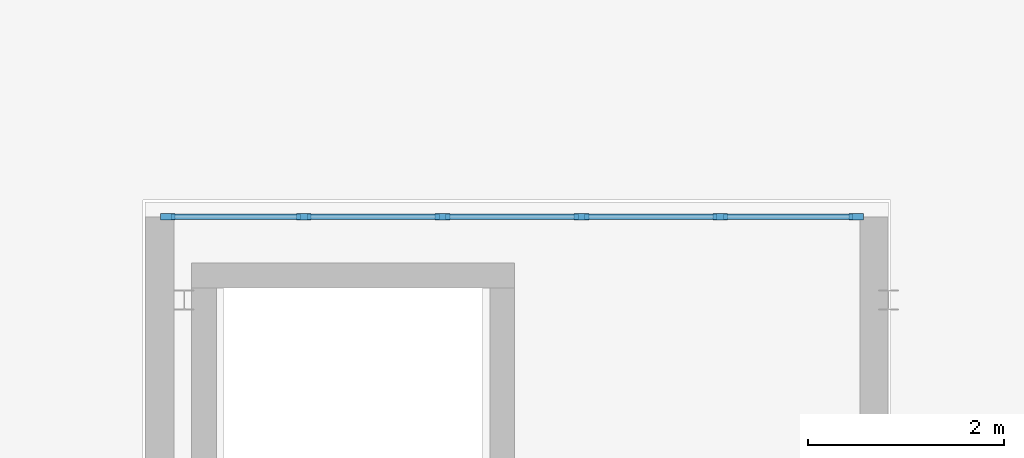
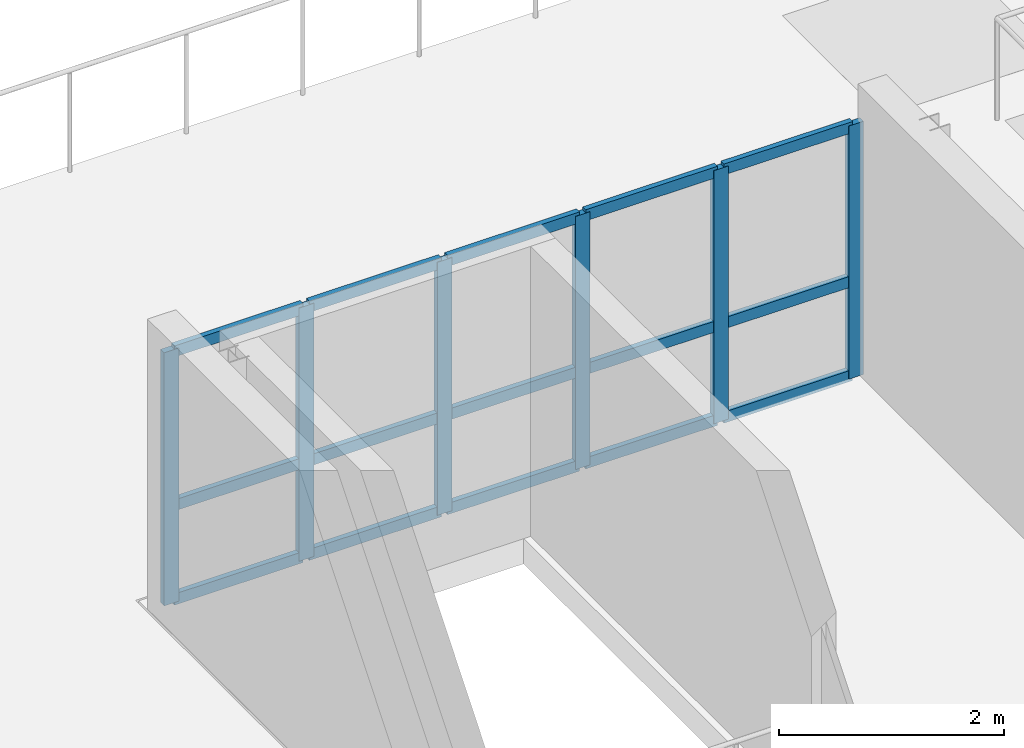
# One storey, part 13 of 64: 21 members, 1 element without a shape of its own.
"""IFC4 building model written with IfcOpenShell, lengths in metres."""

from ifc_helpers import new_model, si_unit, direction, frame, origin, origin_2d, place, context, subcontext, project, spatial, rectangle, extrude, material, layer, layer_set, material_profile, profile_set, type_object, element, aggregate, save


model = new_model("IFC4")

# Units and contexts
model_context = context("Model", 3, precision=1e-05, world=origin(), true_north=direction((0.0, 1.0)))
body_context = subcontext(model_context, "Body", "Model", "MODEL_VIEW")
ifc_project = project(units=[si_unit("LENGTHUNIT", "METRE"), si_unit("AREAUNIT", "SQUARE_METRE"), si_unit("VOLUMEUNIT", "CUBIC_METRE"), si_unit("PLANEANGLEUNIT", "RADIAN"), si_unit("MASSUNIT", "GRAM", prefix="KILO")], contexts=[model_context])

# Site, building, storey
site_placement = place(None, origin())
site = spatial("IfcSite", under=ifc_project, at=site_placement, CompositionType="ELEMENT")
building_placement = place(site_placement, origin())
building = spatial("IfcBuilding", under=site, at=building_placement, Name="Ochrevale Crest", CompositionType="ELEMENT")
storey_placement = place(building_placement, frame((0.0, 0.0, 8.699951171875)))
storey = spatial("IfcBuildingStorey", under=building, at=storey_placement, Name="L02", CompositionType="ELEMENT", Elevation=8.699951171875)

# Curtain wall, members
ifc_material = material(Name="Anodised aluminium 6063-T5", Category="aluminium")
ifc_layer = layer(ifc_material, 0.14990234375)
ifc_layer_set = layer_set([ifc_layer], Name="Anodised aluminium 6063-T5")
curtain_wall_type = type_object("IfcCurtainWallType", Name="CW-RG-300x275", PredefinedType="NOTDEFINED", material=ifc_layer_set)
curtain_wall_placement = place(storey_placement, origin())
curtain_wall = element("IfcCurtainWall", 1, at=curtain_wall_placement, inside=storey, type_object=curtain_wall_type, Name="North roof-garden conservatory north curtain wall", PredefinedType="NOTDEFINED")
ifc_material_profile_1 = material_profile(ifc_material, rectangle(XDim=0.06494140625, YDim=0.14990234375, at=origin_2d()), Name="ALU 65x150")
ifc_profile_set_1 = profile_set([ifc_material_profile_1], Name="Anodised aluminium 6063-T5")
member_type_1 = type_object("IfcMemberType", Name="CW-MUL-65x150", PredefinedType="MULLION", material=ifc_profile_set_1)
member_1_placement = place(storey_placement, frame((79.032470703125, 87.25, 0.0), z_axis=(0.0, 0.0, 1.0), x_axis=(0.0, 1.0, 0.0)))
member_1 = element("IfcMember", 2, at=member_1_placement, type_object=member_type_1, Name="CW14 mullion 1", PredefinedType="MULLION", context=body_context, shape_type="SweptSolid", body=[
    extrude(rectangle(XDim=0.06494140625, YDim=0.14990234375, at=origin_2d()), origin(), (0.0, 0.0, 1.0), 2.75),
])
member_2_placement = place(storey_placement, frame((80.419921875, 87.25, 0.0), z_axis=(0.0, 0.0, 1.0), x_axis=(0.0, 1.0, 0.0)))
member_2 = element("IfcMember", 3, at=member_2_placement, type_object=member_type_1, Name="CW14 mullion 2", PredefinedType="MULLION", context=body_context, shape_type="SweptSolid", body=[
    extrude(rectangle(XDim=0.06494140625, YDim=0.14990234375, at=origin_2d()), origin(), (0.0, 0.0, 1.0), 2.75),
])
member_3_placement = place(storey_placement, frame((81.840087890625, 87.25, 0.0), z_axis=(0.0, 0.0, 1.0), x_axis=(0.0, 1.0, 0.0)))
member_3 = element("IfcMember", 4, at=member_3_placement, type_object=member_type_1, Name="CW14 mullion 3", PredefinedType="MULLION", context=body_context, shape_type="SweptSolid", body=[
    extrude(rectangle(XDim=0.06494140625, YDim=0.14990234375, at=origin_2d()), origin(), (0.0, 0.0, 1.0), 2.75),
])
member_4_placement = place(storey_placement, frame((83.260009765625, 87.25, 0.0), z_axis=(0.0, 0.0, 1.0), x_axis=(0.0, 1.0, 0.0)))
member_4 = element("IfcMember", 5, at=member_4_placement, type_object=member_type_1, Name="CW14 mullion 4", PredefinedType="MULLION", context=body_context, shape_type="SweptSolid", body=[
    extrude(rectangle(XDim=0.06494140625, YDim=0.14990234375, at=origin_2d()), origin(), (0.0, 0.0, 1.0), 2.75),
])
member_5_placement = place(storey_placement, frame((84.679931640625, 87.25, 0.0), z_axis=(0.0, 0.0, 1.0), x_axis=(0.0, 1.0, 0.0)))
member_5 = element("IfcMember", 6, at=member_5_placement, type_object=member_type_1, Name="CW14 mullion 5", PredefinedType="MULLION", context=body_context, shape_type="SweptSolid", body=[
    extrude(rectangle(XDim=0.06494140625, YDim=0.14990234375, at=origin_2d()), origin(), (0.0, 0.0, 1.0), 2.75),
])
member_6_placement = place(storey_placement, frame((86.0673828125, 87.25, 0.0), z_axis=(0.0, 0.0, 1.0), x_axis=(0.0, 1.0, 0.0)))
member_6 = element("IfcMember", 7, at=member_6_placement, type_object=member_type_1, Name="CW14 mullion 6", PredefinedType="MULLION", context=body_context, shape_type="SweptSolid", body=[
    extrude(rectangle(XDim=0.06494140625, YDim=0.14990234375, at=origin_2d()), origin(), (0.0, 0.0, 1.0), 2.75),
])
ifc_material_profile_2 = material_profile(ifc_material, rectangle(XDim=0.054931640625, YDim=0.1201171875, at=origin_2d()), Name="ALU 55x120")
ifc_profile_set_2 = profile_set([ifc_material_profile_2], Name="Anodised aluminium 6063-T5")
member_type_2 = type_object("IfcMemberType", Name="CW-TRN-55x120", PredefinedType="USERDEFINED", material=ifc_profile_set_2)
member_7_placement = place(storey_placement, frame((79.06494140625, 87.25, 0.027587890625), z_axis=(1.0, 0.0, 0.0), x_axis=(0.0, 1.0, 0.0)))
member_7 = element("IfcMember", 8, at=member_7_placement, type_object=member_type_2, Name="CW14 transom 1.1", ObjectType="TRANSOM", PredefinedType="USERDEFINED", context=body_context, shape_type="SweptSolid", body=[
    extrude(rectangle(XDim=0.054931640625, YDim=0.1201171875, at=origin_2d()), origin(), (0.0, 0.0, 1.0), 1.322509765625),
])
member_8_placement = place(storey_placement, frame((79.06494140625, 87.25, 1.050048828125), z_axis=(1.0, 0.0, 0.0), x_axis=(0.0, 1.0, 0.0)))
member_8 = element("IfcMember", 9, at=member_8_placement, type_object=member_type_2, Name="CW14 transom 1.2", ObjectType="TRANSOM", PredefinedType="USERDEFINED", context=body_context, shape_type="SweptSolid", body=[
    extrude(rectangle(XDim=0.054931640625, YDim=0.1201171875, at=origin_2d()), origin(), (0.0, 0.0, 1.0), 1.322509765625),
])
member_9_placement = place(storey_placement, frame((79.06494140625, 87.25, 2.72265625), z_axis=(1.0, 0.0, 0.0), x_axis=(0.0, 1.0, 0.0)))
member_9 = element("IfcMember", 10, at=member_9_placement, type_object=member_type_2, Name="CW14 transom 1.3", ObjectType="TRANSOM", PredefinedType="USERDEFINED", context=body_context, shape_type="SweptSolid", body=[
    extrude(rectangle(XDim=0.054931640625, YDim=0.1201171875, at=origin_2d()), origin(), (0.0, 0.0, 1.0), 1.322509765625),
])
member_10_placement = place(storey_placement, frame((80.452392578125, 87.25, 0.027587890625), z_axis=(1.0, 0.0, 0.0), x_axis=(0.0, 1.0, 0.0)))
member_10 = element("IfcMember", 11, at=member_10_placement, type_object=member_type_2, Name="CW14 transom 2.1", ObjectType="TRANSOM", PredefinedType="USERDEFINED", context=body_context, shape_type="SweptSolid", body=[
    extrude(rectangle(XDim=0.054931640625, YDim=0.1201171875, at=origin_2d()), origin(), (0.0, 0.0, 1.0), 1.355224609375),
])
member_11_placement = place(storey_placement, frame((80.452392578125, 87.25, 1.050048828125), z_axis=(1.0, 0.0, 0.0), x_axis=(0.0, 1.0, 0.0)))
member_11 = element("IfcMember", 12, at=member_11_placement, type_object=member_type_2, Name="CW14 transom 2.2", ObjectType="TRANSOM", PredefinedType="USERDEFINED", context=body_context, shape_type="SweptSolid", body=[
    extrude(rectangle(XDim=0.054931640625, YDim=0.1201171875, at=origin_2d()), origin(), (0.0, 0.0, 1.0), 1.355224609375),
])
member_12_placement = place(storey_placement, frame((80.452392578125, 87.25, 2.72265625), z_axis=(1.0, 0.0, 0.0), x_axis=(0.0, 1.0, 0.0)))
member_12 = element("IfcMember", 13, at=member_12_placement, type_object=member_type_2, Name="CW14 transom 2.3", ObjectType="TRANSOM", PredefinedType="USERDEFINED", context=body_context, shape_type="SweptSolid", body=[
    extrude(rectangle(XDim=0.054931640625, YDim=0.1201171875, at=origin_2d()), origin(), (0.0, 0.0, 1.0), 1.355224609375),
])
member_13_placement = place(storey_placement, frame((81.87255859375, 87.25, 0.027587890625), z_axis=(1.0, 0.0, 0.0), x_axis=(0.0, 1.0, 0.0)))
member_13 = element("IfcMember", 14, at=member_13_placement, type_object=member_type_2, Name="CW14 transom 3.1", ObjectType="TRANSOM", PredefinedType="USERDEFINED", context=body_context, shape_type="SweptSolid", body=[
    extrude(rectangle(XDim=0.054931640625, YDim=0.1201171875, at=origin_2d()), origin(), (0.0, 0.0, 1.0), 1.35498046875),
])
member_14_placement = place(storey_placement, frame((81.87255859375, 87.25, 1.050048828125), z_axis=(1.0, 0.0, 0.0), x_axis=(0.0, 1.0, 0.0)))
member_14 = element("IfcMember", 15, at=member_14_placement, type_object=member_type_2, Name="CW14 transom 3.2", ObjectType="TRANSOM", PredefinedType="USERDEFINED", context=body_context, shape_type="SweptSolid", body=[
    extrude(rectangle(XDim=0.054931640625, YDim=0.1201171875, at=origin_2d()), origin(), (0.0, 0.0, 1.0), 1.35498046875),
])
member_15_placement = place(storey_placement, frame((81.87255859375, 87.25, 2.72265625), z_axis=(1.0, 0.0, 0.0), x_axis=(0.0, 1.0, 0.0)))
member_15 = element("IfcMember", 16, at=member_15_placement, type_object=member_type_2, Name="CW14 transom 3.3", ObjectType="TRANSOM", PredefinedType="USERDEFINED", context=body_context, shape_type="SweptSolid", body=[
    extrude(rectangle(XDim=0.054931640625, YDim=0.1201171875, at=origin_2d()), origin(), (0.0, 0.0, 1.0), 1.35498046875),
])
member_16_placement = place(storey_placement, frame((83.29248046875, 87.25, 0.027587890625), z_axis=(1.0, 0.0, 0.0), x_axis=(0.0, 1.0, 0.0)))
member_16 = element("IfcMember", 17, at=member_16_placement, type_object=member_type_2, Name="CW14 transom 4.1", ObjectType="TRANSOM", PredefinedType="USERDEFINED", context=body_context, shape_type="SweptSolid", body=[
    extrude(rectangle(XDim=0.054931640625, YDim=0.1201171875, at=origin_2d()), origin(), (0.0, 0.0, 1.0), 1.35498046875),
])
member_17_placement = place(storey_placement, frame((83.29248046875, 87.25, 1.050048828125), z_axis=(1.0, 0.0, 0.0), x_axis=(0.0, 1.0, 0.0)))
member_17 = element("IfcMember", 18, at=member_17_placement, type_object=member_type_2, Name="CW14 transom 4.2", ObjectType="TRANSOM", PredefinedType="USERDEFINED", context=body_context, shape_type="SweptSolid", body=[
    extrude(rectangle(XDim=0.054931640625, YDim=0.1201171875, at=origin_2d()), origin(), (0.0, 0.0, 1.0), 1.35498046875),
])
member_18_placement = place(storey_placement, frame((83.29248046875, 87.25, 2.72265625), z_axis=(1.0, 0.0, 0.0), x_axis=(0.0, 1.0, 0.0)))
member_18 = element("IfcMember", 19, at=member_18_placement, type_object=member_type_2, Name="CW14 transom 4.3", ObjectType="TRANSOM", PredefinedType="USERDEFINED", context=body_context, shape_type="SweptSolid", body=[
    extrude(rectangle(XDim=0.054931640625, YDim=0.1201171875, at=origin_2d()), origin(), (0.0, 0.0, 1.0), 1.35498046875),
])
member_19_placement = place(storey_placement, frame((84.71240234375, 87.25, 0.027587890625), z_axis=(1.0, 0.0, 0.0), x_axis=(0.0, 1.0, 0.0)))
member_19 = element("IfcMember", 20, at=member_19_placement, type_object=member_type_2, Name="CW14 transom 5.1", ObjectType="TRANSOM", PredefinedType="USERDEFINED", context=body_context, shape_type="SweptSolid", body=[
    extrude(rectangle(XDim=0.054931640625, YDim=0.1201171875, at=origin_2d()), origin(), (0.0, 0.0, 1.0), 1.322509765625),
])
member_20_placement = place(storey_placement, frame((84.71240234375, 87.25, 1.050048828125), z_axis=(1.0, 0.0, 0.0), x_axis=(0.0, 1.0, 0.0)))
member_20 = element("IfcMember", 21, at=member_20_placement, type_object=member_type_2, Name="CW14 transom 5.2", ObjectType="TRANSOM", PredefinedType="USERDEFINED", context=body_context, shape_type="SweptSolid", body=[
    extrude(rectangle(XDim=0.054931640625, YDim=0.1201171875, at=origin_2d()), origin(), (0.0, 0.0, 1.0), 1.322509765625),
])
member_21_placement = place(storey_placement, frame((84.71240234375, 87.25, 2.72265625), z_axis=(1.0, 0.0, 0.0), x_axis=(0.0, 1.0, 0.0)))
member_21 = element("IfcMember", 22, at=member_21_placement, type_object=member_type_2, Name="CW14 transom 5.3", ObjectType="TRANSOM", PredefinedType="USERDEFINED", context=body_context, shape_type="SweptSolid", body=[
    extrude(rectangle(XDim=0.054931640625, YDim=0.1201171875, at=origin_2d()), origin(), (0.0, 0.0, 1.0), 1.322509765625),
])
aggregate(curtain_wall, [member_1, member_2, member_3, member_4, member_5, member_6, member_7, member_8, member_9, member_10, member_11, member_12, member_13, member_14, member_15, member_16, member_17, member_18, member_19, member_20, member_21])

save(model, "model.ifc")
